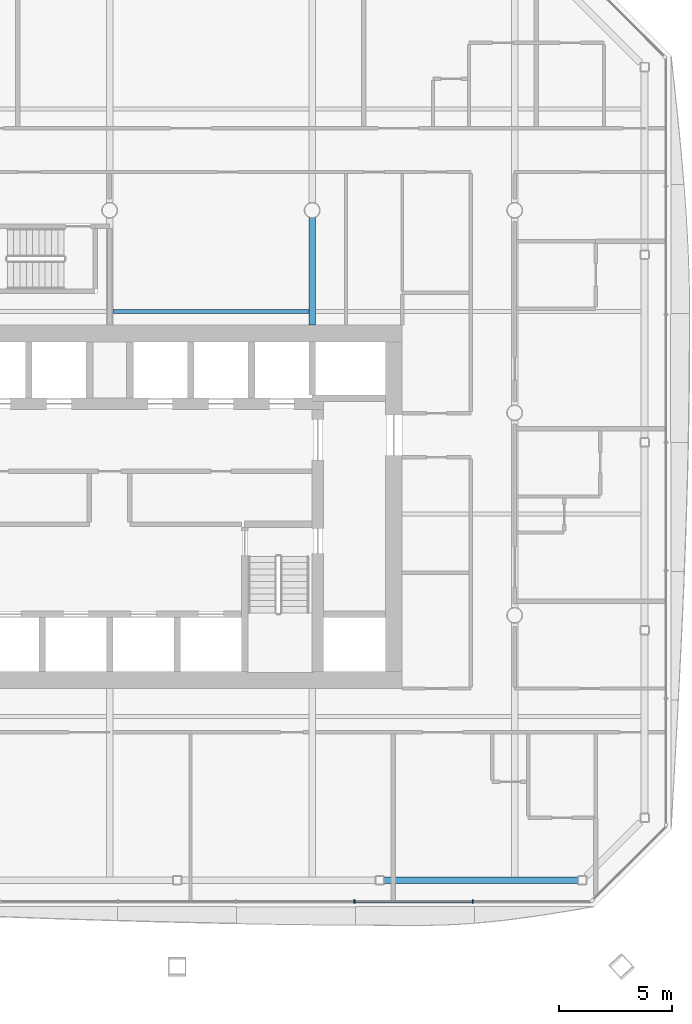
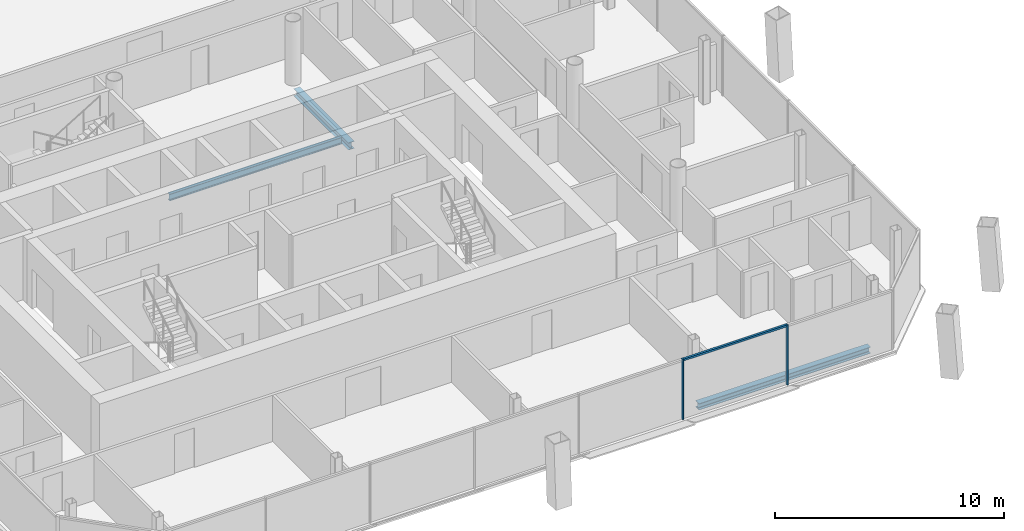
# One storey, part 7 of 18: 3 beams, 3 members, 1 element without a shape of its own.
"""IFC4 building model written with IfcOpenShell, lengths in metres."""

from ifc_helpers import new_model, si_unit, direction, frame, origin, origin_2d, place, context, subcontext, project, spatial, rectangle, i_section, extrude, material, material_profile, profile_set, type_object, element, aggregate, save


model = new_model("IFC4")

# Units and contexts
model_context = context("Model", 3, precision=1e-05, world=origin(), true_north=direction((0.0, 1.0)))
body_context = subcontext(model_context, "Body", "Model", "MODEL_VIEW")
ifc_project = project(units=[si_unit("LENGTHUNIT", "METRE"), si_unit("AREAUNIT", "SQUARE_METRE"), si_unit("VOLUMEUNIT", "CUBIC_METRE"), si_unit("PLANEANGLEUNIT", "RADIAN"), si_unit("MASSUNIT", "GRAM", prefix="KILO")], contexts=[model_context])

# Site, building, storey
site_placement = place(None, origin())
site = spatial("IfcSite", under=ifc_project, at=site_placement, CompositionType="ELEMENT")
building_placement = place(site_placement, origin())
building = spatial("IfcBuilding", under=site, at=building_placement, Name="Tskaro Facet Tower", CompositionType="ELEMENT")
storey_placement = place(building_placement, frame((0.0, 0.0, 155.5)))
storey = spatial("IfcBuildingStorey", under=building, at=storey_placement, Name="L38", CompositionType="ELEMENT", Elevation=155.5)

# Curtain wall, members
ifc_material_1 = material(Name="Bronze anodised aluminium 6063-T6", Category="aluminium")
curtain_wall_type = type_object("IfcCurtainWallType", Name="Bronze hotel curtain wall (FW2)", PredefinedType="NOTDEFINED", material=ifc_material_1)
curtain_wall_placement = place(storey_placement, origin())
curtain_wall = element("IfcCurtainWall", 1, at=curtain_wall_placement, inside=storey, type_object=curtain_wall_type, Name="FW2 south facet L38", PredefinedType="NOTDEFINED")
ifc_material_profile_1 = material_profile(ifc_material_1, rectangle(XDim=0.06005859375, YDim=0.14990234375, at=origin_2d()), Name="Mullion 60x150")
ifc_profile_set_1 = profile_set([ifc_material_profile_1], Name="Bronze anodised aluminium 6063-T6")
member_type_1 = type_object("IfcMemberType", Name="FW2 bronze mullion 60x150", PredefinedType="MULLION", material=ifc_profile_set_1)
member_1_placement = place(storey_placement, frame((10.88232421875, -21.72412109375, 0.0), z_axis=(0.0, 0.0, 1.0), x_axis=(1.0, 0.0, 0.0)))
member_1 = element("IfcMember", 2, at=member_1_placement, type_object=member_type_1, Name="FW2 south mullion 5", PredefinedType="MULLION", context=body_context, shape_type="SweptSolid", body=[
    extrude(rectangle(XDim=0.06005859375, YDim=0.14990234375, at=origin_2d()), origin(), (0.0, 0.0, 1.0), 3.199951171875),
])
member_2_placement = place(storey_placement, frame((16.13720703125, -21.72412109375, 0.0), z_axis=(0.0, 0.0, 1.0), x_axis=(1.0, 0.0, 0.0)))
member_2 = element("IfcMember", 3, at=member_2_placement, type_object=member_type_1, Name="FW2 south mullion 6", PredefinedType="MULLION", context=body_context, shape_type="SweptSolid", body=[
    extrude(rectangle(XDim=0.06005859375, YDim=0.14990234375, at=origin_2d()), origin(), (0.0, 0.0, 1.0), 3.199951171875),
])
ifc_material_profile_2 = material_profile(ifc_material_1, rectangle(XDim=0.110107421875, YDim=0.10009765625, at=origin_2d()), Name="Transom 110x100")
ifc_profile_set_2 = profile_set([ifc_material_profile_2], Name="Bronze anodised aluminium 6063-T6")
member_type_2 = type_object("IfcMemberType", Name="FW2 bronze transom 110x100", PredefinedType="USERDEFINED", material=ifc_profile_set_2)
member_3_placement = place(storey_placement, frame((10.912353515625, -21.72412109375, 3.14990234375), z_axis=(1.0, 0.0, 0.0), x_axis=(0.0, 1.0, 0.0)))
member_3 = element("IfcMember", 4, at=member_3_placement, type_object=member_type_2, Name="FW2 south transom 6.1", ObjectType="TRANSOM", PredefinedType="USERDEFINED", context=body_context, shape_type="SweptSolid", body=[
    extrude(rectangle(XDim=0.110107421875, YDim=0.10009765625, at=origin_2d()), origin(), (0.0, 0.0, 1.0), 5.19482421875),
])
aggregate(curtain_wall, [member_1, member_2, member_3])

# Beams
ifc_material_2 = material(Name="Steel S355J2", Category="steel")
ifc_material_profile_3 = material_profile(ifc_material_2, i_section(OverallWidth=0.300048828125, OverallDepth=0.340087890625, WebThickness=0.011962890625, FlangeThickness=0.021484375, FilletRadius=0.027099609375, at=origin_2d()), Name="HE 340 B")
ifc_profile_set_3 = profile_set([ifc_material_profile_3], Name="Steel S355J2")
beam_type_1 = type_object("IfcBeamType", Name="HE 340 B ring beam", PredefinedType="BEAM", material=ifc_profile_set_3)
beam_1_placement = place(storey_placement, frame((12.179931640625, -20.77392578125, -0.31005859375), z_axis=(1.0, 0.0, 0.0), x_axis=(0.0, 1.0, 0.0)))
element("IfcBeam", 5, at=beam_1_placement, inside=storey, type_object=beam_type_1, Name="HE 340 B EB4-3", PredefinedType="BEAM", context=body_context, shape_type="SweptSolid", body=[
    extrude(i_section(OverallWidth=0.300048828125, OverallDepth=0.340087890625, WebThickness=0.011962890625, FlangeThickness=0.021484375, FilletRadius=0.027099609375, at=origin_2d()), origin(), (0.0, 0.0, 1.0), 8.63916015625),
])
ifc_material_profile_4 = material_profile(ifc_material_2, i_section(OverallWidth=0.300048828125, OverallDepth=0.389892578125, WebThickness=0.010986328125, FlangeThickness=0.01904296875, FilletRadius=0.027099609375, at=origin_2d()), Name="HE 400 A")
ifc_profile_set_4 = profile_set([ifc_material_profile_4], Name="Steel S355J2")
beam_type_2 = type_object("IfcBeamType", Name="HE 400 A girder", PredefinedType="BEAM", material=ifc_profile_set_4)
beam_2_placement = place(storey_placement, frame((9.0, 3.89990234375, -0.3349609375), z_axis=(0.0, 1.0, 0.0), x_axis=(-1.0, 0.0, 0.0)))
element("IfcBeam", 6, at=beam_2_placement, inside=storey, type_object=beam_type_2, Name="HE 400 A GB5-2-3", PredefinedType="BEAM", context=body_context, shape_type="SweptSolid", body=[
    extrude(i_section(OverallWidth=0.300048828125, OverallDepth=0.389892578125, WebThickness=0.010986328125, FlangeThickness=0.01904296875, FilletRadius=0.027099609375, at=origin_2d()), origin(), (0.0, 0.0, 1.0), 4.774658203125),
])
ifc_material_profile_5 = material_profile(ifc_material_2, i_section(OverallWidth=0.169921875, OverallDepth=0.360107421875, WebThickness=0.008056640625, FlangeThickness=0.0126953125, FilletRadius=0.01806640625, at=origin_2d()), Name="IPE 360")
ifc_profile_set_5 = profile_set([ifc_material_profile_5], Name="Steel S355J2")
beam_type_3 = type_object("IfcBeamType", Name="IPE 360 secondary beam", PredefinedType="BEAM", material=ifc_profile_set_5)
beam_3_placement = place(storey_placement, frame((0.14990234375, 4.5, -0.320068359375), z_axis=(1.0, 0.0, 0.0), x_axis=(0.0, 1.0, 0.0)))
element("IfcBeam", 7, at=beam_3_placement, inside=storey, type_object=beam_type_3, Name="IPE 360 SB4a-3-3", PredefinedType="BEAM", context=body_context, shape_type="SweptSolid", body=[
    extrude(i_section(OverallWidth=0.169921875, OverallDepth=0.360107421875, WebThickness=0.008056640625, FlangeThickness=0.0126953125, FilletRadius=0.01806640625, at=origin_2d()), origin(), (0.0, 0.0, 1.0), 8.7001953125),
])

save(model, "model.ifc")
